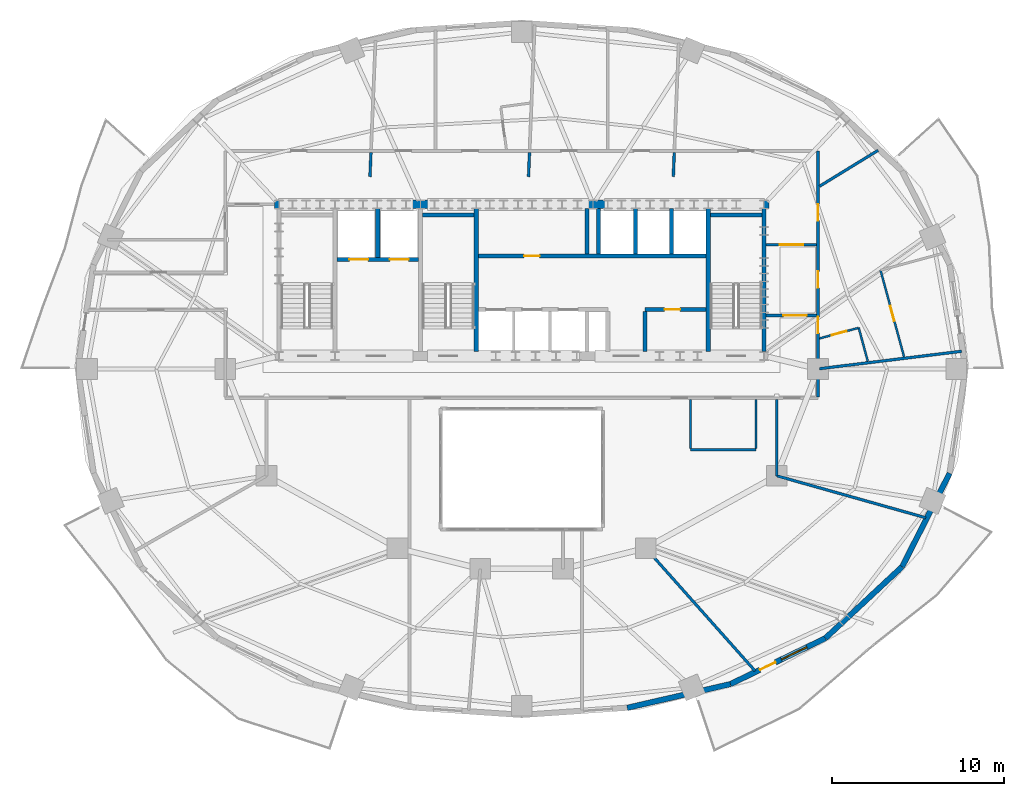
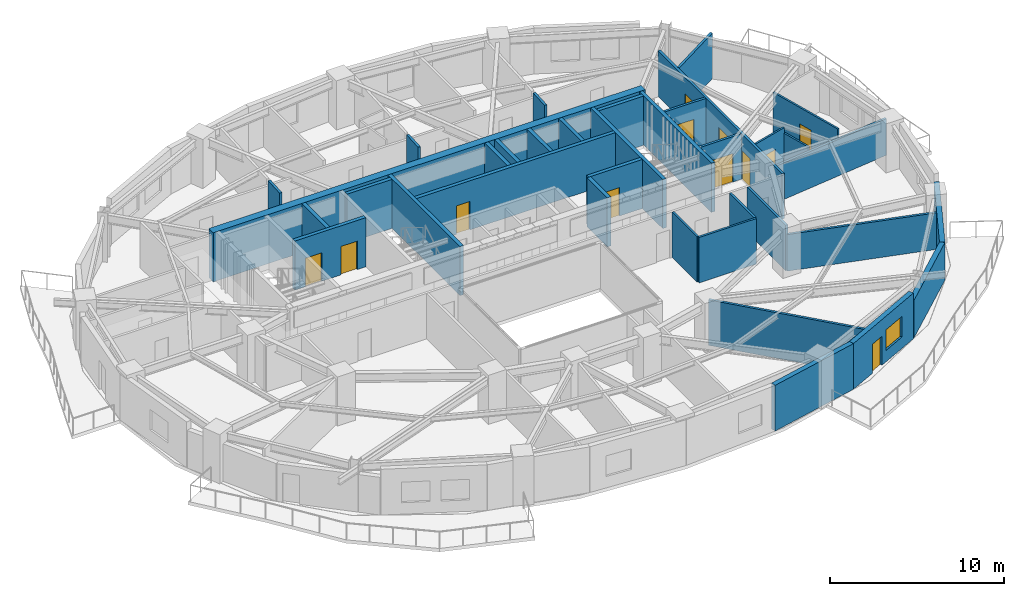
# One storey, part 7 of 13: 36 walls, 12 doors, 1 window, 13 openings.
"""IFC4 building model written with IfcOpenShell, lengths in metres."""

from ifc_helpers import new_model, si_unit, direction, frame, frame_2d, origin, place, context, subcontext, project, spatial, rectangle, extrude, material, layer, layer_set, type_object, element, fill, save


model = new_model("IFC4")

# Units and contexts
model_context = context("Model", 3, precision=1e-05, world=origin(), true_north=direction((0.0, 1.0)))
body_context = subcontext(model_context, "Body", "Model", "MODEL_VIEW")
ifc_project = project(units=[si_unit("LENGTHUNIT", "METRE"), si_unit("AREAUNIT", "SQUARE_METRE"), si_unit("VOLUMEUNIT", "CUBIC_METRE"), si_unit("PLANEANGLEUNIT", "RADIAN"), si_unit("MASSUNIT", "GRAM", prefix="KILO")], contexts=[model_context])

# Site, building, storey
site_placement = place(None, origin())
site = spatial("IfcSite", under=ifc_project, at=site_placement, CompositionType="ELEMENT")
building_placement = place(site_placement, origin())
building = spatial("IfcBuilding", under=site, at=building_placement, Name="Haldorwick Loom Tower", CompositionType="ELEMENT")
storey_placement = place(building_placement, frame((0.0, 0.0, 142.550048828125)))
storey = spatial("IfcBuildingStorey", under=building, at=storey_placement, Name="L38", CompositionType="ELEMENT", Elevation=142.550048828125)

# Wall
ifc_material_1 = material(Name="Pressed Clay Face Brick and Insulated Masonry Backup Assembly", Category="masonry")
ifc_layer_1 = layer(ifc_material_1, 0.320068359375, Name="Pressed Clay Face Brick and Insulated Masonry Backup Assembly", Category="masonry")
ifc_layer_set_1 = layer_set([ifc_layer_1], Name="Pressed Clay Face Brick and Insulated Masonry Backup Assembly")
wall_type_1 = type_object("IfcWallType", Name="ARC-WL-EXT320", PredefinedType="STANDARD", material=ifc_layer_set_1)
wall_1_placement = place(storey_placement, frame((42.12890625, 6.3359375, 0.0), z_axis=(0.0, 0.0, 1.0), x_axis=(0.974593223547, 0.223982250674, 0.0)))
element("IfcWall", 1, at=wall_1_placement, inside=storey, type_object=wall_type_1, Name="L38 Brick Pier and Spandrel Wall 20", PredefinedType="STANDARD", context=body_context, shape_type="SweptSolid", body=[
    extrude(rectangle(XDim=6.138916015625, YDim=0.320068359375, at=frame_2d((3.0693359375, 0.0))), origin(), (0.0, 0.0, 1.0), 3.2099609375),
])

# Wall, openings, door, window
wall_2_placement = place(storey_placement, frame((48.11181640625, 7.7109375, 0.0), z_axis=(0.0, 0.0, 1.0), x_axis=(0.900479976617, 0.434897472644, 0.0)))
wall_2 = element("IfcWall", 2, at=wall_2_placement, inside=storey, type_object=wall_type_1, Name="L38 Brick Pier and Spandrel Wall 21", PredefinedType="STANDARD", context=body_context, shape_type="SweptSolid", body=[
    extrude(rectangle(XDim=6.118408203125, YDim=0.320068359375, at=frame_2d((3.05908203125, 0.0))), origin(), (0.0, 0.0, 1.0), 3.2099609375),
])
opening_1_placement = place(wall_2_placement, frame((1.8994140625, 0.0, 0.0)))
opening_1 = element("IfcOpeningElement", 3, at=opening_1_placement, cuts=wall_2, Name="Opening D-BL10", PredefinedType="OPENING", context=body_context, shape_type="SweptSolid", body=[
    extrude(rectangle(XDim=1.0, YDim=2.0400390625, at=frame_2d((0.5, 1.02001953125))), frame((0.0, 0.169921875, 0.0), z_axis=(0.0, -1.0, 0.0), x_axis=(1.0, 0.0, 0.0)), (0.0, 0.0, 1.0), 0.340087890625),
])
opening_2_placement = place(wall_2_placement, frame((3.28662109375, 0.0, 0.800048828125)))
opening_2 = element("IfcOpeningElement", 4, at=opening_2_placement, cuts=wall_2, Name="Opening W-01B", PredefinedType="OPENING", context=body_context, shape_type="SweptSolid", body=[
    extrude(rectangle(XDim=1.64990234375, YDim=1.449951171875, at=frame_2d((0.824951171875, 0.72509765625))), frame((0.0, 0.169921875, 0.0), z_axis=(0.0, -1.0, 0.0), x_axis=(1.0, 0.0, 0.0)), (0.0, 0.0, 1.0), 0.340087890625),
])
ifc_material_2 = material(Name="Thermally Broken Anodized Aluminium Curtain Wall Framing", Category="aluminium")
door_type_1 = type_object("IfcDoorType", Name="ARC-DR-BAL100", OperationType="NOTDEFINED", PredefinedType="DOOR", material=ifc_material_2)
door_1_placement = place(opening_1_placement, origin())
door_1 = element("IfcDoor", 5, at=door_1_placement, inside=storey, type_object=door_type_1, Name="L38 Outdoor Terrace Door SLB-L38-BAL_SE", OperationType="SINGLE_SWING_RIGHT", OverallHeight=2.0400390625, OverallWidth=1.0, PredefinedType="DOOR", context=body_context, shape_type="SweptSolid", body=[
    extrude(rectangle(XDim=1.0, YDim=2.0400390625, at=frame_2d((0.5, 1.02001953125))), frame((0.0, 0.02490234375, 0.0), z_axis=(0.0, -1.0, 0.0), x_axis=(1.0, 0.0, 0.0)), (0.0, 0.0, 1.0), 0.050048828125),
])
fill(opening_1, door_1)
ifc_material_3 = material(Name="Triple-Glazed Low-E Argon Insulated Glazing Unit", Category="glass")
window_type = type_object("IfcWindowType", Name="ARC-WIN-W165", PartitioningType="SINGLE_PANEL", PredefinedType="WINDOW", material=ifc_material_3)
window_placement = place(opening_2_placement, origin())
window = element("IfcWindow", 6, at=window_placement, inside=storey, type_object=window_type, Name="L38 Deep-Set Zone 7A Window 21", OverallHeight=1.449951171875, OverallWidth=1.64990234375, PartitioningType="SINGLE_PANEL", PredefinedType="WINDOW", context=body_context, shape_type="SweptSolid", body=[
    extrude(rectangle(XDim=1.64990234375, YDim=1.449951171875, at=frame_2d((0.824951171875, 0.72509765625))), frame((0.0, 0.030029296875, 0.0), z_axis=(0.0, -1.0, 0.0), x_axis=(1.0, 0.0, 0.0)), (0.0, 0.0, 1.0), 0.06005859375),
])
fill(opening_2, window)

# Walls
for number, where, z_axis, x_axis, name in (
    (7, (53.621337890625, 10.371826171875, 0.0), (0.0, 0.0, 1.0), (0.731982952968, 0.681322945866, 0.0), "L38 Brick Pier and Spandrel Wall 22"),
    (8, (58.07666015625, 14.518798828125, 0.0), (0.0, 0.0, 1.0), (0.453172129629, 0.89142303141, 0.0), "L38 Brick Pier and Spandrel Wall 23"),
):
    element("IfcWall", number, at=place(storey_placement, frame(where, z_axis=z_axis, x_axis=x_axis)), inside=storey, type_object=wall_type_1, Name=name, PredefinedType="STANDARD", context=body_context, shape_type="SweptSolid", body=[
        extrude(rectangle(XDim=6.086669921875, YDim=0.320068359375, at=frame_2d((3.04345703125, 0.0))), origin(), (0.0, 0.0, 1.0), 2.640869140625),
    ])

# Wall, openings, doors
ifc_material_4 = material(Name="Fire-Rated Type X Gypsum Stud Assembly EI 60")
ifc_layer_2 = layer(ifc_material_4, 0.159912109375, Name="Fire-Rated Type X Gypsum Stud Assembly EI 60")
ifc_layer_set_2 = layer_set([ifc_layer_2], Name="Fire-Rated Type X Gypsum Stud Assembly EI 60")
wall_type_2 = type_object("IfcWallType", Name="ARC-WL-FIRE160", PredefinedType="PARTITIONING", material=ifc_layer_set_2)
wall_3_placement = place(storey_placement, frame((53.199951171875, 24.383056640625, 0.0), z_axis=(0.0, 0.0, 1.0), x_axis=(0.0, 1.0, 0.0)))
wall_3 = element("IfcWall", 9, at=wall_3_placement, inside=storey, type_object=wall_type_2, Name="L38 Residential Fire Partition L38-CR-E0", PredefinedType="PARTITIONING", context=body_context, shape_type="SweptSolid", body=[
    extrude(rectangle(XDim=14.266845703125, YDim=0.159912109375, at=frame_2d((7.13330078125, 0.0))), origin(), (0.0, 0.0, 1.0), 3.195068359375),
])
opening_3_placement = place(wall_3_placement, frame((6.32421875, 0.0, 0.0)))
opening_3 = element("IfcOpeningElement", 10, at=opening_3_placement, cuts=wall_3, Name="Opening D-FL95", PredefinedType="OPENING", context=body_context, shape_type="SweptSolid", body=[
    extrude(rectangle(XDim=0.949951171875, YDim=2.0400390625, at=frame_2d((0.47509765625, 1.02001953125))), frame((0.0, 0.08984375, 0.0), z_axis=(0.0, -1.0, 0.0), x_axis=(1.0, 0.0, 0.0)), (0.0, 0.0, 1.0), 0.179931640625),
])
opening_4_placement = place(wall_3_placement, frame((10.225341796875, 0.0, 0.0)))
opening_4 = element("IfcOpeningElement", 11, at=opening_4_placement, cuts=wall_3, Name="Opening D-FL95", PredefinedType="OPENING", context=body_context, shape_type="SweptSolid", body=[
    extrude(rectangle(XDim=0.949951171875, YDim=2.0400390625, at=frame_2d((0.47509765625, 1.02001953125))), frame((0.0, 0.08984375, 0.0), z_axis=(0.0, -1.0, 0.0), x_axis=(1.0, 0.0, 0.0)), (0.0, 0.0, 1.0), 0.179931640625),
])
opening_5_placement = place(wall_3_placement, frame((3.6884765625, 0.0, 0.0)))
opening_5 = element("IfcOpeningElement", 12, at=opening_5_placement, cuts=wall_3, Name="Opening D-FL95", PredefinedType="OPENING", context=body_context, shape_type="SweptSolid", body=[
    extrude(rectangle(XDim=0.949951171875, YDim=2.0400390625, at=frame_2d((0.47509765625, 1.02001953125))), frame((0.0, 0.08984375, 0.0), z_axis=(0.0, -1.0, 0.0), x_axis=(1.0, 0.0, 0.0)), (0.0, 0.0, 1.0), 0.179931640625),
])
ifc_material_5 = material(Name="Solid Core Birch Architectural Door")
door_type_2 = type_object("IfcDoorType", Name="ARC-DR-FLAT95", OperationType="NOTDEFINED", PredefinedType="DOOR", material=ifc_material_5)
door_2_placement = place(opening_3_placement, origin())
door_2 = element("IfcDoor", 13, at=door_2_placement, inside=storey, type_object=door_type_2, Name="L38 L38 East Residential Corridor to Unit 38D Kitchen and Living Room Do", OperationType="SINGLE_SWING_LEFT", OverallHeight=2.0400390625, OverallWidth=0.949951171875, PredefinedType="DOOR", context=body_context, shape_type="SweptSolid", body=[
    extrude(rectangle(XDim=0.949951171875, YDim=2.0400390625, at=frame_2d((0.47509765625, 1.02001953125))), frame((0.0, 0.02490234375, 0.0), z_axis=(0.0, -1.0, 0.0), x_axis=(1.0, 0.0, 0.0)), (0.0, 0.0, 1.0), 0.050048828125),
])
fill(opening_3, door_2)
door_3_placement = place(opening_4_placement, origin())
door_3 = element("IfcDoor", 14, at=door_3_placement, inside=storey, type_object=door_type_2, Name="L38 L38 North Residential Corridor to Unit 38D Kitchen and Living Room D", OperationType="SINGLE_SWING_RIGHT", OverallHeight=2.0400390625, OverallWidth=0.949951171875, PredefinedType="DOOR", context=body_context, shape_type="SweptSolid", body=[
    extrude(rectangle(XDim=0.949951171875, YDim=2.0400390625, at=frame_2d((0.47509765625, 1.02001953125))), frame((0.0, 0.02490234375, 0.0), z_axis=(0.0, -1.0, 0.0), x_axis=(1.0, 0.0, 0.0)), (0.0, 0.0, 1.0), 0.050048828125),
])
fill(opening_4, door_3)
door_4_placement = place(opening_5_placement, origin())
door_4 = element("IfcDoor", 15, at=door_4_placement, inside=storey, type_object=door_type_2, Name="L38 L38 Central Residential Corridor to Unit 38D Kitchen and Living Room", OperationType="SINGLE_SWING_LEFT", OverallHeight=2.0400390625, OverallWidth=0.949951171875, PredefinedType="DOOR", context=body_context, shape_type="SweptSolid", body=[
    extrude(rectangle(XDim=0.949951171875, YDim=2.0400390625, at=frame_2d((0.47509765625, 1.02001953125))), frame((0.0, 0.02490234375, 0.0), z_axis=(0.0, -1.0, 0.0), x_axis=(1.0, 0.0, 0.0)), (0.0, 0.0, 1.0), 0.050048828125),
])
fill(opening_5, door_4)

# Wall, opening, door
wall_4_placement = place(storey_placement, frame((50.193115234375, 29.10009765625, 0.0), z_axis=(0.0, 0.0, 1.0), x_axis=(1.0, 0.0, 0.0)))
wall_4 = element("IfcWall", 16, at=wall_4_placement, inside=storey, type_object=wall_type_2, Name="L38 Residential Fire Partition L38-CR-ESJ", PredefinedType="PARTITIONING", context=body_context, shape_type="SweptSolid", body=[
    extrude(rectangle(XDim=2.923828125, YDim=0.159912109375, at=frame_2d((1.4619140625, 0.0))), origin(), (0.0, 0.0, 1.0), 3.195068359375),
])
opening_6_placement = place(wall_4_placement, frame((0.99560546875, 0.0, 0.0)))
opening_6 = element("IfcOpeningElement", 17, at=opening_6_placement, cuts=wall_4, Name="Opening D-CR15", PredefinedType="OPENING", context=body_context, shape_type="SweptSolid", body=[
    extrude(rectangle(XDim=1.35009765625, YDim=2.0, at=frame_2d((0.675048828125, 1.0))), frame((0.0, 0.08984375, 0.0), z_axis=(0.0, -1.0, 0.0), x_axis=(1.0, 0.0, 0.0)), (0.0, 0.0, 1.0), 0.179931640625),
])
ifc_material_6 = material(Name="Thermally Broken Anodized Aluminium and Tempered Glass", Category="aluminium")
door_type_3 = type_object("IfcDoorType", Name="ARC-DR-COR150", OperationType="NOTDEFINED", PredefinedType="DOOR", material=ifc_material_6)
door_5_placement = place(opening_6_placement, origin())
door_5 = element("IfcDoor", 18, at=door_5_placement, inside=storey, type_object=door_type_3, Name="L38 L38 East Residential Corridor to L38 Central Residential Corridor Do", OperationType="DOUBLE_DOOR_SINGLE_SWING", OverallHeight=2.0, OverallWidth=1.35009765625, PredefinedType="DOOR", context=body_context, shape_type="SweptSolid", body=[
    extrude(rectangle(XDim=1.35009765625, YDim=2.0, at=frame_2d((0.675048828125, 1.0))), frame((0.0, 0.02490234375, 0.0), z_axis=(0.0, -1.0, 0.0), x_axis=(1.0, 0.0, 0.0)), (0.0, 0.0, 1.0), 0.050048828125),
])
fill(opening_6, door_5)

wall_5_placement = place(storey_placement, frame((50.193115234375, 33.199951171875, 0.0), z_axis=(0.0, 0.0, 1.0), x_axis=(1.0, 0.0, 0.0)))
wall_5 = element("IfcWall", 19, at=wall_5_placement, inside=storey, type_object=wall_type_2, Name="L38 Residential Fire Partition L38-CR-ENJ", PredefinedType="PARTITIONING", context=body_context, shape_type="SweptSolid", body=[
    extrude(rectangle(XDim=2.923828125, YDim=0.159912109375, at=frame_2d((1.4619140625, 0.0))), origin(), (0.0, 0.0, 1.0), 3.195068359375),
])
opening_7_placement = place(wall_5_placement, frame((0.787109375, 0.0, 0.0)))
opening_7 = element("IfcOpeningElement", 20, at=opening_7_placement, cuts=wall_5, Name="Opening D-CR15", PredefinedType="OPENING", context=body_context, shape_type="SweptSolid", body=[
    extrude(rectangle(XDim=1.35009765625, YDim=2.0, at=frame_2d((0.675048828125, 1.0))), frame((0.0, 0.08984375, 0.0), z_axis=(0.0, -1.0, 0.0), x_axis=(1.0, 0.0, 0.0)), (0.0, 0.0, 1.0), 0.179931640625),
])
door_6_placement = place(opening_7_placement, origin())
door_6 = element("IfcDoor", 21, at=door_6_placement, inside=storey, type_object=door_type_3, Name="L38 L38 North Residential Corridor to L38 East Residential Corridor Door", OperationType="DOUBLE_DOOR_SINGLE_SWING", OverallHeight=2.0, OverallWidth=1.35009765625, PredefinedType="DOOR", context=body_context, shape_type="SweptSolid", body=[
    extrude(rectangle(XDim=1.35009765625, YDim=2.0, at=frame_2d((0.675048828125, 1.0))), frame((0.0, 0.02490234375, 0.0), z_axis=(0.0, -1.0, 0.0), x_axis=(1.0, 0.0, 0.0)), (0.0, 0.0, 1.0), 0.050048828125),
])
fill(opening_7, door_6)

# Walls
wall_6_placement = place(storey_placement, frame((53.282958984375, 26.01025390625, 0.0), z_axis=(0.0, 0.0, 1.0), x_axis=(0.99254744349, 0.121858821682, 0.0)))
element("IfcWall", 22, at=wall_6_placement, inside=storey, type_object=wall_type_2, Name="L38 Residential Fire Partition L38-ICR-01", PredefinedType="PARTITIONING", context=body_context, shape_type="SweptSolid", body=[
    extrude(rectangle(XDim=8.314453125, YDim=0.159912109375, at=frame_2d((4.1572265625, 0.0))), origin(), (0.0, 0.0, 1.0), 2.56787109375),
])
wall_7_placement = place(storey_placement, frame((50.800048828125, 19.800048828125, 0.0), z_axis=(0.0, 0.0, 1.0), x_axis=(0.962549528808, -0.271105891842, 0.0)))
element("IfcWall", 23, at=wall_7_placement, inside=storey, type_object=wall_type_2, Name="L38 Residential Fire Partition L38-ICR-03", PredefinedType="PARTITIONING", context=body_context, shape_type="SweptSolid", body=[
    extrude(rectangle(XDim=8.986328125, YDim=0.159912109375, at=frame_2d((4.4931640625, 0.0))), origin(), (0.0, 0.0, 1.0), 2.56787109375),
])
wall_8_placement = place(storey_placement, frame((43.199951171875, 15.60009765625, 0.0), z_axis=(0.0, 0.0, 1.0), x_axis=(0.66516713388, -0.74669450514, 0.0)))
element("IfcWall", 24, at=wall_8_placement, inside=storey, type_object=wall_type_2, Name="L38 Residential Fire Partition L38-ICR-05", PredefinedType="PARTITIONING", context=body_context, shape_type="SweptSolid", body=[
    extrude(rectangle(XDim=9.540771484375, YDim=0.159912109375, at=frame_2d((4.7705078125, 0.0))), origin(), (0.0, 0.0, 1.0), 3.195068359375),
])
wall_9_placement = place(storey_placement, frame((50.800048828125, 24.217041015625, 0.0), z_axis=(0.0, 0.0, 1.0), x_axis=(0.0, -1.0, 0.0)))
element("IfcWall", 25, at=wall_9_placement, inside=storey, type_object=wall_type_2, Name="L38 Residential Fire Partition L38-ICA-02", PredefinedType="PARTITIONING", context=body_context, shape_type="SweptSolid", body=[
    extrude(rectangle(XDim=4.4169921875, YDim=0.159912109375, at=frame_2d((2.20849609375, 0.0))), origin(), (0.0, 0.0, 1.0), 3.195068359375),
])
for number, where, z_axis, x_axis, name in (
    (26, (27.199951171875, 37.14990234375, 0.0), (0.0, 0.0, 1.0), (0.040628040027, 0.999174340325, 0.0), "L38 Residential Fire Partition L38-UPN-12"),
    (27, (36.39990234375, 37.14990234375, 0.0), (0.0, 0.0, 1.0), (0.040628040027, 0.999174340325, 0.0), "L38 Residential Fire Partition L38-UPN-13"),
    (28, (44.800048828125, 37.14990234375, 0.0), (0.0, 0.0, 1.0), (0.040456169676, 0.999181314044, 0.0), "L38 Residential Fire Partition L38-UPN-14"),
):
    element("IfcWall", number, at=place(storey_placement, frame(where, z_axis=z_axis, x_axis=x_axis)), inside=storey, type_object=wall_type_2, Name=name, PredefinedType="PARTITIONING", context=body_context, shape_type="SweptSolid", body=[
        extrude(rectangle(XDim=1.418212890625, YDim=0.159912109375, at=frame_2d((0.708984375, 0.0))), origin(), (0.0, 0.0, 1.0), 3.195068359375),
    ])
wall_10_placement = place(storey_placement, frame((53.282958984375, 36.596435546875, 0.0), z_axis=(0.0, 0.0, 1.0), x_axis=(0.852502860446, 0.522722558276, 0.0)))
element("IfcWall", 29, at=wall_10_placement, inside=storey, type_object=wall_type_2, Name="L38 Suite Split Wall", PredefinedType="PARTITIONING", context=body_context, shape_type="SweptSolid", body=[
    extrude(rectangle(XDim=3.99462890625, YDim=0.159912109375, at=frame_2d((1.997314453125, 0.0))), origin(), (0.0, 0.0, 1.0), 3.195068359375),
])
ifc_material_7 = material(Name="Acoustic Gypsum Stud Assembly STC 55")
ifc_layer_3 = layer(ifc_material_7, 0.1201171875, Name="Acoustic Gypsum Stud Assembly STC 55")
ifc_layer_set_3 = layer_set([ifc_layer_3], Name="Acoustic Gypsum Stud Assembly STC 55")
wall_type_3 = type_object("IfcWallType", Name="ARC-WL-PART120", PredefinedType="PARTITIONING", material=ifc_layer_set_3)
wall_11_placement = place(storey_placement, frame((56.08740234375, 26.43798828125, 0.0), z_axis=(0.0, 0.0, 1.0), x_axis=(-0.262134196137, 0.965031431206, 0.0)))
element("IfcWall", 30, at=wall_11_placement, inside=storey, type_object=wall_type_3, Name="L38 Unit 38D Interior Partition", PredefinedType="PARTITIONING", context=body_context, shape_type="SweptSolid", body=[
    extrude(rectangle(XDim=2.017333984375, YDim=0.1201171875, at=frame_2d((1.0087890625, 0.0))), origin(), (0.0, 0.0, 1.0), 2.826904296875),
])

# Wall, opening, door
wall_12_placement = place(storey_placement, frame((53.282958984375, 27.7666015625, 0.0), z_axis=(0.0, 0.0, 1.0), x_axis=(0.965028534236, 0.262144860925, 0.0)))
wall_12 = element("IfcWall", 31, at=wall_12_placement, inside=storey, type_object=wall_type_3, Name="L38 Unit 38D Interior Partition", PredefinedType="PARTITIONING", context=body_context, shape_type="SweptSolid", body=[
    extrude(rectangle(XDim=2.358154296875, YDim=0.1201171875, at=frame_2d((1.17919921875, 0.0))), origin(), (0.0, 0.0, 1.0), 3.195068359375),
])
opening_8_placement = place(wall_12_placement, frame((0.739013671875, 0.0, 0.0)))
opening_8 = element("IfcOpeningElement", 32, at=opening_8_placement, cuts=wall_12, Name="Opening D-BT88", PredefinedType="OPENING", context=body_context, shape_type="SweptSolid", body=[
    extrude(rectangle(XDim=0.8798828125, YDim=2.02001953125, at=frame_2d((0.43994140625, 1.010009765625))), frame((0.0, 0.070068359375, 0.0), z_axis=(0.0, -1.0, 0.0), x_axis=(1.0, 0.0, 0.0)), (0.0, 0.0, 1.0), 0.14013671875),
])
door_type_4 = type_object("IfcDoorType", Name="ARC-DR-BATH88", OperationType="NOTDEFINED", PredefinedType="DOOR", material=ifc_material_5)
door_7_placement = place(opening_8_placement, origin())
door_7 = element("IfcDoor", 33, at=door_7_placement, inside=storey, type_object=door_type_4, Name="L38 Unit 38D Kitchen and Living Room to Unit 38D Bathroom Door", OperationType="SINGLE_SWING_LEFT", OverallHeight=2.02001953125, OverallWidth=0.8798828125, PredefinedType="DOOR", context=body_context, shape_type="SweptSolid", body=[
    extrude(rectangle(XDim=0.8798828125, YDim=2.02001953125, at=frame_2d((0.43994140625, 1.010009765625))), frame((0.0, 0.02490234375, 0.0), z_axis=(0.0, -1.0, 0.0), x_axis=(1.0, 0.0, 0.0)), (0.0, 0.0, 1.0), 0.050048828125),
])
fill(opening_8, door_7)

wall_13_placement = place(storey_placement, frame((58.19140625, 26.696533203125, 0.0), z_axis=(0.0, 0.0, 1.0), x_axis=(-0.262185642536, 0.965017455204, 0.0)))
wall_13 = element("IfcWall", 34, at=wall_13_placement, inside=storey, type_object=wall_type_3, Name="L38 Unit 38D Interior Partition", PredefinedType="PARTITIONING", context=body_context, shape_type="SweptSolid", body=[
    extrude(rectangle(XDim=5.2109375, YDim=0.1201171875, at=frame_2d((2.60546875, 0.0))), origin(), (0.0, 0.0, 1.0), 3.195068359375),
])
opening_9_placement = place(wall_13_placement, frame((2.155517578125, 0.0, 0.0)))
opening_9 = element("IfcOpeningElement", 35, at=opening_9_placement, cuts=wall_13, Name="Opening D-IN90", PredefinedType="OPENING", context=body_context, shape_type="SweptSolid", body=[
    extrude(rectangle(XDim=0.89990234375, YDim=2.0400390625, at=frame_2d((0.449951171875, 1.02001953125))), frame((0.0, 0.070068359375, 0.0), z_axis=(0.0, -1.0, 0.0), x_axis=(1.0, 0.0, 0.0)), (0.0, 0.0, 1.0), 0.14013671875),
])
door_type_5 = type_object("IfcDoorType", Name="ARC-DR-INT90", OperationType="NOTDEFINED", PredefinedType="DOOR", material=ifc_material_5)
door_8_placement = place(opening_9_placement, origin())
door_8 = element("IfcDoor", 36, at=door_8_placement, inside=storey, type_object=door_type_5, Name="L38 Unit 38D Kitchen and Living Room to Unit 38D Bedroom 1 Door", OperationType="SINGLE_SWING_LEFT", OverallHeight=2.0400390625, OverallWidth=0.89990234375, PredefinedType="DOOR", context=body_context, shape_type="SweptSolid", body=[
    extrude(rectangle(XDim=0.89990234375, YDim=2.0400390625, at=frame_2d((0.449951171875, 1.02001953125))), frame((0.0, 0.02490234375, 0.0), z_axis=(0.0, -1.0, 0.0), x_axis=(1.0, 0.0, 0.0)), (0.0, 0.0, 1.0), 0.050048828125),
])
fill(opening_9, door_8)

# Walls
ifc_layer_4 = layer(ifc_material_4, 0.139892578125, Name="Fire-Rated Type X Gypsum Stud Assembly EI 60")
ifc_layer_set_4 = layer_set([ifc_layer_4], Name="Fire-Rated Type X Gypsum Stud Assembly EI 60")
wall_type_4 = type_object("IfcWallType", Name="ARC-WL-PART140", PredefinedType="PARTITIONING", material=ifc_layer_set_4)
wall_14_placement = place(storey_placement, frame((45.800048828125, 21.300048828125, 0.0), z_axis=(0.0, 0.0, 1.0), x_axis=(1.0, 0.0, 0.0)))
element("IfcWall", 37, at=wall_14_placement, inside=storey, type_object=wall_type_4, Name="L38 Residential Fire Partition L38-CWC-S", PredefinedType="PARTITIONING", context=body_context, shape_type="SweptSolid", body=[
    extrude(rectangle(XDim=3.800048828125, YDim=0.139892578125, at=frame_2d((1.89990234375, 0.0))), origin(), (0.0, 0.0, 1.0), 3.195068359375),
])
for number, where, z_axis, x_axis, name in (
    (38, (45.800048828125, 21.373046875, 0.0), (0.0, 0.0, 1.0), (0.0, 1.0, 0.0), "L38 Residential Fire Partition L38-CWC-W"),
    (39, (49.60009765625, 21.373046875, 0.0), (0.0, 0.0, 1.0), (0.0, 1.0, 0.0), "L38 Residential Fire Partition L38-CWC-E"),
):
    element("IfcWall", number, at=place(storey_placement, frame(where, z_axis=z_axis, x_axis=x_axis)), inside=storey, type_object=wall_type_4, Name=name, PredefinedType="PARTITIONING", context=body_context, shape_type="SweptSolid", body=[
        extrude(rectangle(XDim=2.843994140625, YDim=0.139892578125, at=frame_2d((1.421875, 0.0))), origin(), (0.0, 0.0, 1.0), 3.195068359375),
    ])
ifc_material_8 = material(Name="Concrete C60 (60 MPa)", Category="concrete")
ifc_layer_5 = layer(ifc_material_8, 0.5, Name="Concrete C60 (60 MPa)", Category="concrete")
ifc_layer_set_5 = layer_set([ifc_layer_5], Name="Concrete C60 (60 MPa)")
wall_type_5 = type_object("IfcWallType", Name="STR-WL-CORE500", PredefinedType="SHEAR", material=ifc_layer_set_5)
wall_15_placement = place(storey_placement, frame((50.35009765625, 35.550048828125, 0.0), z_axis=(0.0, 0.0, 1.0), x_axis=(-1.0, 0.0, 0.0)))
element("IfcWall", 40, at=wall_15_placement, inside=storey, type_object=wall_type_5, Name="L38 Core Shear Wall N", PredefinedType="SHEAR", context=body_context, shape_type="SweptSolid", body=[
    extrude(rectangle(XDim=28.7001953125, YDim=0.5, at=frame_2d((14.35009765625, 0.0))), origin(), (0.0, 0.0, 1.0), 3.449951171875),
])
ifc_material_9 = material(Name="Concrete C50 (50 MPa)", Category="concrete")
ifc_layer_6 = layer(ifc_material_9, 0.239990234375, Name="Concrete C50 (50 MPa)", Category="concrete")
ifc_layer_set_6 = layer_set([ifc_layer_6], Name="Concrete C50 (50 MPa)")
wall_type_6 = type_object("IfcWallType", Name="STR-WL-SHAFT240", PredefinedType="SHEAR", material=ifc_layer_set_6)
for number, where, z_axis, x_axis, name in (
    (41, (50.070068359375, 27.0029296875, 0.0), (0.0, 0.0, 1.0), (0.0, 1.0, 0.0), "L38 Core Shear Wall E"),
    (42, (33.3701171875, 27.0029296875, 0.0), (0.0, 0.0, 1.0), (0.0, 1.0, 0.0), "L38 Core Shear Wall 3"),
):
    element("IfcWall", number, at=place(storey_placement, frame(where, z_axis=z_axis, x_axis=x_axis)), inside=storey, type_object=wall_type_6, Name=name, PredefinedType="SHEAR", context=body_context, shape_type="SweptSolid", body=[
        extrude(rectangle(XDim=8.294189453125, YDim=0.239990234375, at=frame_2d((4.14697265625, 0.0))), origin(), (0.0, 0.0, 1.0), 3.449951171875),
    ])
wall_16_placement = place(storey_placement, frame((30.2529296875, 34.919921875, 0.0), z_axis=(0.0, 0.0, 1.0), x_axis=(1.0, 0.0, 0.0)))
element("IfcWall", 43, at=wall_16_placement, inside=storey, type_object=wall_type_6, Name="L38 Core Shear Wall 3N", PredefinedType="SHEAR", context=body_context, shape_type="SweptSolid", body=[
    extrude(rectangle(XDim=2.994140625, YDim=0.239990234375, at=frame_2d((1.4970703125, 0.0))), origin(), (0.0, 0.0, 1.0), 3.449951171875),
])
wall_17_placement = place(storey_placement, frame((46.830078125, 27.0029296875, 0.0), z_axis=(0.0, 0.0, 1.0), x_axis=(0.0, 1.0, 0.0)))
element("IfcWall", 44, at=wall_17_placement, inside=storey, type_object=wall_type_6, Name="L38 Core Shear Wall 4", PredefinedType="SHEAR", context=body_context, shape_type="SweptSolid", body=[
    extrude(rectangle(XDim=8.294189453125, YDim=0.239990234375, at=frame_2d((4.14697265625, 0.0))), origin(), (0.0, 0.0, 1.0), 3.449951171875),
])
wall_18_placement = place(storey_placement, frame((46.952880859375, 34.919921875, 0.0), z_axis=(0.0, 0.0, 1.0), x_axis=(1.0, 0.0, 0.0)))
element("IfcWall", 45, at=wall_18_placement, inside=storey, type_object=wall_type_6, Name="L38 Core Shear Wall 4N", PredefinedType="SHEAR", context=body_context, shape_type="SweptSolid", body=[
    extrude(rectangle(XDim=2.994140625, YDim=0.239990234375, at=frame_2d((1.4970703125, 0.0))), origin(), (0.0, 0.0, 1.0), 3.449951171875),
])

# Wall, openings, doors
wall_19_placement = place(storey_placement, frame((25.29296875, 32.35009765625, 0.0), z_axis=(0.0, 0.0, 1.0), x_axis=(1.0, 0.0, 0.0)))
wall_19 = element("IfcWall", 46, at=wall_19_placement, inside=storey, type_object=wall_type_6, Name="L38 Core Shear Wall FF", PredefinedType="SHEAR", context=body_context, shape_type="SweptSolid", body=[
    extrude(rectangle(XDim=4.714111328125, YDim=0.239990234375, at=frame_2d((2.35693359375, 0.0))), origin(), (0.0, 0.0, 1.0), 3.449951171875),
])
opening_10_placement = place(wall_19_placement, frame((0.70703125, 0.0, 0.0)))
opening_10 = element("IfcOpeningElement", 47, at=opening_10_placement, cuts=wall_19, Name="Opening LD-FF1", PredefinedType="OPENING", context=body_context, shape_type="SweptSolid", body=[
    extrude(rectangle(XDim=1.10009765625, YDim=2.0, at=frame_2d((0.550048828125, 1.0))), frame((0.0, 0.1298828125, 0.0), z_axis=(0.0, -1.0, 0.0), x_axis=(1.0, 0.0, 0.0)), (0.0, 0.0, 1.0), 0.260009765625),
])
opening_11_placement = place(wall_19_placement, frame((3.056884765625, 0.0, 0.0)))
opening_11 = element("IfcOpeningElement", 48, at=opening_11_placement, cuts=wall_19, Name="Opening LD-FF2", PredefinedType="OPENING", context=body_context, shape_type="SweptSolid", body=[
    extrude(rectangle(XDim=1.10009765625, YDim=2.0, at=frame_2d((0.550048828125, 1.0))), frame((0.0, 0.1298828125, 0.0), z_axis=(0.0, -1.0, 0.0), x_axis=(1.0, 0.0, 0.0)), (0.0, 0.0, 1.0), 0.260009765625),
])
ifc_material_10 = material(Name="Hollow Steel Fire Door Assembly", Category="steel")
door_type_6 = type_object("IfcDoorType", Name="ARC-DR-LD-FF", OperationType="NOTDEFINED", PredefinedType="USERDEFINED", material=ifc_material_10)
door_9_placement = place(opening_10_placement, origin())
door_9 = element("IfcDoor", 49, at=door_9_placement, inside=storey, type_object=door_type_6, Name="L38 Lift LF-FF1 Sliding Landing Door", ObjectType="LANDING DOOR", OperationType="DOUBLE_DOOR_SLIDING", OverallHeight=2.0, OverallWidth=1.10009765625, PredefinedType="USERDEFINED", context=body_context, shape_type="SweptSolid", body=[
    extrude(rectangle(XDim=1.10009765625, YDim=2.0, at=frame_2d((0.550048828125, 1.0))), frame((0.0, 0.02490234375, 0.0), z_axis=(0.0, -1.0, 0.0), x_axis=(1.0, 0.0, 0.0)), (0.0, 0.0, 1.0), 0.050048828125),
])
fill(opening_10, door_9)
door_10_placement = place(opening_11_placement, origin())
door_10 = element("IfcDoor", 50, at=door_10_placement, inside=storey, type_object=door_type_6, Name="L38 Lift LF-FF2 Sliding Landing Door", ObjectType="LANDING DOOR", OperationType="DOUBLE_DOOR_SLIDING", OverallHeight=2.0, OverallWidth=1.10009765625, PredefinedType="USERDEFINED", context=body_context, shape_type="SweptSolid", body=[
    extrude(rectangle(XDim=1.10009765625, YDim=2.0, at=frame_2d((0.550048828125, 1.0))), frame((0.0, 0.02490234375, 0.0), z_axis=(0.0, -1.0, 0.0), x_axis=(1.0, 0.0, 0.0)), (0.0, 0.0, 1.0), 0.050048828125),
])
fill(opening_11, door_10)

# Wall
wall_20_placement = place(storey_placement, frame((27.64990234375, 32.472900390625, 0.0), z_axis=(0.0, 0.0, 1.0), x_axis=(0.0, 1.0, 0.0)))
element("IfcWall", 51, at=wall_20_placement, inside=storey, type_object=wall_type_6, Name="L38 Core Shear Wall FFD", PredefinedType="SHEAR", context=body_context, shape_type="SweptSolid", body=[
    extrude(rectangle(XDim=2.82421875, YDim=0.239990234375, at=frame_2d((1.412109375, 0.0))), origin(), (0.0, 0.0, 1.0), 3.449951171875),
])

# Wall, opening, door
wall_21_placement = place(storey_placement, frame((33.492919921875, 32.550048828125, 0.0), z_axis=(0.0, 0.0, 1.0), x_axis=(1.0, 0.0, 0.0)))
wall_21 = element("IfcWall", 52, at=wall_21_placement, inside=storey, type_object=wall_type_6, Name="L38 Core Shear Wall LN", PredefinedType="SHEAR", context=body_context, shape_type="SweptSolid", body=[
    extrude(rectangle(XDim=13.214111328125, YDim=0.239990234375, at=frame_2d((6.60693359375, 0.0))), origin(), (0.0, 0.0, 1.0), 3.449951171875),
])
opening_12_placement = place(wall_21_placement, frame((2.656982421875, 0.0, 0.0)))
opening_12 = element("IfcOpeningElement", 53, at=opening_12_placement, cuts=wall_21, Name="Opening D-FD60A", PredefinedType="OPENING", context=body_context, shape_type="SweptSolid", body=[
    extrude(rectangle(XDim=0.89990234375, YDim=2.0, at=frame_2d((0.449951171875, 1.0))), frame((0.0, 0.1298828125, 0.0), z_axis=(0.0, -1.0, 0.0), x_axis=(1.0, 0.0, 0.0)), (0.0, 0.0, 1.0), 0.260009765625),
])
door_type_7 = type_object("IfcDoorType", Name="ARC-DR-FD60-90", OperationType="NOTDEFINED", PredefinedType="DOOR", material=ifc_material_10)
door_11_placement = place(opening_12_placement, frame((0.89990234375, 0.0, 0.0), z_axis=(0.0, 0.0, 1.0), x_axis=(-1.0, 0.0, 0.0)))
door_11 = element("IfcDoor", 54, at=door_11_placement, inside=storey, type_object=door_type_7, Name="L38 Housekeeping Store Door", OperationType="SINGLE_SWING_LEFT", OverallHeight=2.0, OverallWidth=0.89990234375, PredefinedType="DOOR", context=body_context, shape_type="SweptSolid", body=[
    extrude(rectangle(XDim=0.89990234375, YDim=2.0, at=frame_2d((0.449951171875, 1.0))), frame((0.0, 0.02490234375, 0.0), z_axis=(0.0, -1.0, 0.0), x_axis=(1.0, 0.0, 0.0)), (0.0, 0.0, 1.0), 0.050048828125),
])
fill(opening_12, door_11)

wall_22_placement = place(storey_placement, frame((43.14990234375, 29.449951171875, 0.0), z_axis=(0.0, 0.0, 1.0), x_axis=(1.0, 0.0, 0.0)))
wall_22 = element("IfcWall", 55, at=wall_22_placement, inside=storey, type_object=wall_type_6, Name="L38 Core Shear Wall LS2", PredefinedType="SHEAR", context=body_context, shape_type="SweptSolid", body=[
    extrude(rectangle(XDim=3.55712890625, YDim=0.239990234375, at=frame_2d((1.778564453125, 0.0))), origin(), (0.0, 0.0, 1.0), 3.449951171875),
])
opening_13_placement = place(wall_22_placement, frame((1.14990234375, 0.0, 0.0)))
opening_13 = element("IfcOpeningElement", 56, at=opening_13_placement, cuts=wall_22, Name="Opening D-FD60A", PredefinedType="OPENING", context=body_context, shape_type="SweptSolid", body=[
    extrude(rectangle(XDim=0.89990234375, YDim=2.0, at=frame_2d((0.449951171875, 1.0))), frame((0.0, 0.1298828125, 0.0), z_axis=(0.0, -1.0, 0.0), x_axis=(1.0, 0.0, 0.0)), (0.0, 0.0, 1.0), 0.260009765625),
])
door_12_placement = place(opening_13_placement, origin())
door_12 = element("IfcDoor", 57, at=door_12_placement, inside=storey, type_object=door_type_7, Name="L38 Electrical Metering Door", OperationType="SINGLE_SWING_LEFT", OverallHeight=2.0, OverallWidth=0.89990234375, PredefinedType="DOOR", context=body_context, shape_type="SweptSolid", body=[
    extrude(rectangle(XDim=0.89990234375, YDim=2.0, at=frame_2d((0.449951171875, 1.0))), frame((0.0, 0.02490234375, 0.0), z_axis=(0.0, -1.0, 0.0), x_axis=(1.0, 0.0, 0.0)), (0.0, 0.0, 1.0), 0.050048828125),
])
fill(opening_13, door_12)

# Walls
wall_23_placement = place(storey_placement, frame((43.14990234375, 27.0029296875, 0.0), z_axis=(0.0, 0.0, 1.0), x_axis=(0.0, 1.0, 0.0)))
element("IfcWall", 58, at=wall_23_placement, inside=storey, type_object=wall_type_6, Name="L38 Core Shear Wall THE", PredefinedType="SHEAR", context=body_context, shape_type="SweptSolid", body=[
    extrude(rectangle(XDim=2.323974609375, YDim=0.239990234375, at=frame_2d((1.162109375, 0.0))), origin(), (0.0, 0.0, 1.0), 3.449951171875),
])
for number, where, z_axis, x_axis, name in (
    (59, (39.800048828125, 32.673095703125, 0.0), (0.0, 0.0, 1.0), (0.0, 1.0, 0.0), "L38 Core Shear Wall LHW"),
    (60, (40.449951171875, 32.673095703125, 0.0), (0.0, 0.0, 1.0), (0.0, 1.0, 0.0), "L38 Core Shear Wall H0"),
    (61, (42.60009765625, 32.673095703125, 0.0), (0.0, 0.0, 1.0), (0.0, 1.0, 0.0), "L38 Core Shear Wall H1"),
    (62, (44.699951171875, 32.673095703125, 0.0), (0.0, 0.0, 1.0), (0.0, 1.0, 0.0), "L38 Core Shear Wall H2"),
):
    element("IfcWall", number, at=place(storey_placement, frame(where, z_axis=z_axis, x_axis=x_axis)), inside=storey, type_object=wall_type_6, Name=name, PredefinedType="SHEAR", context=body_context, shape_type="SweptSolid", body=[
        extrude(rectangle(XDim=2.6240234375, YDim=0.239990234375, at=frame_2d((1.31201171875, 0.0))), origin(), (0.0, 0.0, 1.0), 3.449951171875),
    ])

save(model, "model.ifc")
